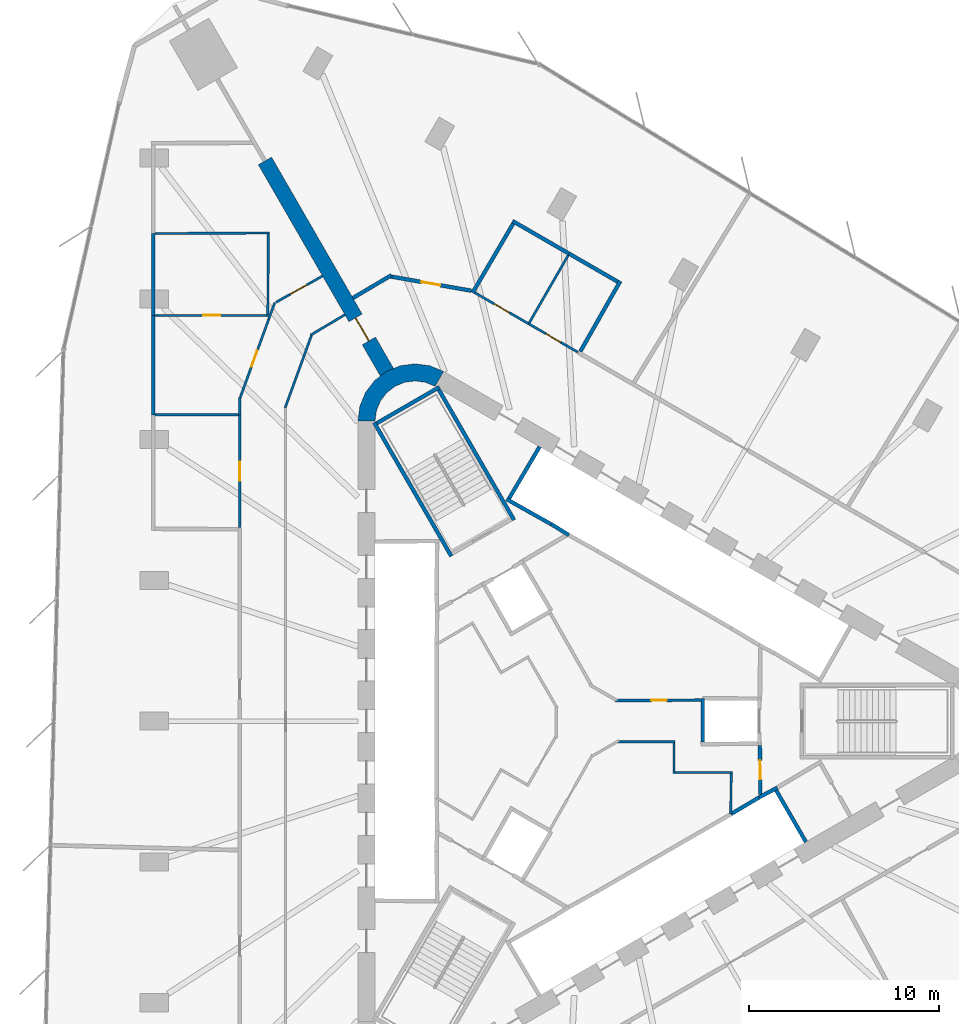
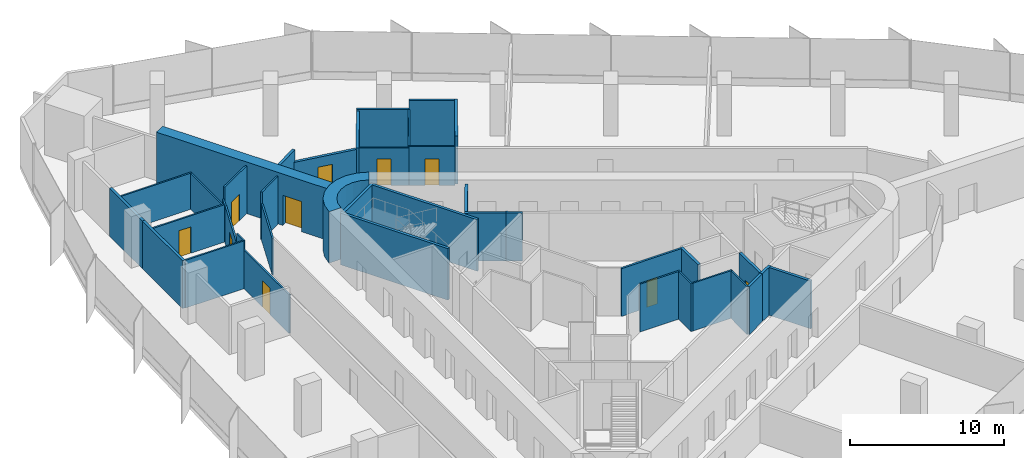
# One storey, part 11 of 14: 40 walls, 10 doors, 10 openings.
"""IFC4 building model written with IfcOpenShell, lengths in metres."""

from ifc_helpers import new_model, si_unit, direction, frame, frame_2d, origin, place, context, subcontext, project, spatial, polyline, rectangle, outline, extrude, material, layer, layer_set, type_object, element, fill, save


model = new_model("IFC4")

# Units and contexts
model_context = context("Model", 3, precision=1e-05, world=origin(), true_north=direction((0.0, 1.0)))
body_context = subcontext(model_context, "Body", "Model", "MODEL_VIEW")
ifc_project = project(units=[si_unit("LENGTHUNIT", "METRE"), si_unit("AREAUNIT", "SQUARE_METRE"), si_unit("VOLUMEUNIT", "CUBIC_METRE"), si_unit("PLANEANGLEUNIT", "RADIAN"), si_unit("MASSUNIT", "GRAM", prefix="KILO")], contexts=[model_context])

# Site, building, storey
site_placement = place(None, origin())
site = spatial("IfcSite", under=ifc_project, at=site_placement, CompositionType="ELEMENT")
building_placement = place(site_placement, origin())
building = spatial("IfcBuilding", under=site, at=building_placement, Name="Tanit Gate Tower", CompositionType="ELEMENT")
storey_placement = place(building_placement, frame((0.0, 0.0, 123.39990234375)))
storey = spatial("IfcBuildingStorey", under=building, at=storey_placement, Name="L26", CompositionType="ELEMENT", Elevation=123.39990234375)

# Wall, opening, door
ifc_material_1 = material(Name="Concrete C60/75", Category="concrete")
ifc_layer_1 = layer(ifc_material_1, 0.800048828125)
ifc_layer_set_1 = layer_set([ifc_layer_1], Name="BUTTRESS FIN 800 C60/75")
wall_type_1 = type_object("IfcWallType", Name="BUTTRESS FIN 800 C60/75", PredefinedType="SHEAR", material=ifc_layer_set_1)
wall_1_placement = place(storey_placement, frame((-10.574951171875, 18.31640625, 0.0), z_axis=(0.0, 0.0, 1.0), x_axis=(-0.500008359956, 0.866020577108, 0.0)))
wall_1 = element("IfcWall", 1, at=wall_1_placement, inside=storey, type_object=wall_type_1, Name="BUTTRESS FIN", PredefinedType="SHEAR", context=body_context, shape_type="SweptSolid", body=[
    extrude(rectangle(XDim=12.812255859375, YDim=0.800048828125, at=frame_2d((6.40625, 0.0))), origin(), (0.0, 0.0, 1.0), 4.10009765625),
])
opening_1_placement = place(wall_1_placement, frame((1.89990234375, 0.0, 0.0)))
opening_1 = element("IfcOpeningElement", 2, at=opening_1_placement, cuts=wall_1, Name="Opening P14-S06-F-NW-1", PredefinedType="OPENING", context=body_context, shape_type="SweptSolid", body=[
    extrude(rectangle(XDim=1.39990234375, YDim=2.39990234375, at=frame_2d((0.699951171875, 1.199951171875))), frame((0.0, 0.41015625, 0.0), z_axis=(0.0, -1.0, 0.0), x_axis=(1.0, 0.0, 0.0)), (0.0, 0.0, 1.0), 0.820068359375),
])
ifc_material_2 = material(Name="Timber door leaf", Category="wood")
door_type_1 = type_object("IfcDoorType", Name="INT-DOOR-FIN-PAIR-1400", OperationType="NOTDEFINED", PredefinedType="NOTDEFINED", material=ifc_material_2)
door_1_placement = place(opening_1_placement, origin())
door_1 = element("IfcDoor", 3, at=door_1_placement, inside=storey, type_object=door_type_1, Name="Door P14-S06-F-NW-1", OperationType="DOUBLE_DOOR_SINGLE_SWING", OverallHeight=2.39990234375, OverallWidth=1.39990234375, PredefinedType="NOTDEFINED", context=body_context, shape_type="SweptSolid", body=[
    extrude(rectangle(XDim=1.39990234375, YDim=2.39990234375, at=frame_2d((0.699951171875, 1.199951171875))), frame((0.0, 0.02490234375, 0.0), z_axis=(0.0, -1.0, 0.0), x_axis=(1.0, 0.0, 0.0)), (0.0, 0.0, 1.0), 0.050048828125),
])
fill(opening_1, door_1)

# Wall
ifc_material_3 = material(Name="Concrete C60/75", Category="concrete")
ifc_layer_2 = layer(ifc_material_3, 0.89990234375)
ifc_layer_set_2 = layer_set([ifc_layer_2], Name="CORE WALL 900 C60/75")
wall_type_2 = type_object("IfcWallType", Name="CORE WALL 900 C60/75", PredefinedType="SHEAR", material=ifc_layer_set_2)
wall_2_placement = place(storey_placement, origin())
element("IfcWall", 4, at=wall_2_placement, inside=storey, type_object=wall_type_2, Name="CORE WALL CORNER", PredefinedType="SHEAR", context=body_context, shape_type="SweptSolid", body=[
    extrude(outline(polyline([(-7.60009765625, 18.359619140625), (-8.323486328125, 18.659423828125), (-9.10009765625, 18.76171875), (-9.87646484375, 18.659423828125), (-10.60009765625, 18.359619140625), (-11.22119140625, 17.883056640625), (-11.697998046875, 17.26171875), (-11.997802734375, 16.5380859375), (-12.10009765625, 15.76171875), (-11.199951171875, 15.76171875), (-11.12841796875, 16.30517578125), (-10.918701171875, 16.811767578125), (-10.5849609375, 17.24658203125), (-10.14990234375, 17.580322265625), (-9.6435546875, 17.7900390625), (-9.10009765625, 17.86181640625), (-8.556396484375, 17.7900390625), (-8.050048828125, 17.580322265625), (-7.60009765625, 18.359619140625)])), origin(), (0.0, 0.0, 1.0), 4.10009765625),
])

# Wall, opening, door
ifc_material_4 = material(Name="Fire-rated gypsum board partition")
ifc_layer_3 = layer(ifc_material_4, 0.199951171875)
ifc_layer_set_3 = layer_set([ifc_layer_3], Name="INT-WALL-COMPARTMENT")
wall_type_3 = type_object("IfcWallType", Name="INT-WALL-COMPARTMENT", PredefinedType="PARTITIONING", material=ifc_layer_set_3)
wall_3_placement = place(storey_placement, frame((9.02880859375, -3.850830078125, 0.0), z_axis=(0.0, 0.0, 1.0), x_axis=(-0.010783593937, 0.99994185536, 0.0)))
wall_3 = element("IfcWall", 5, at=wall_3_placement, inside=storey, type_object=wall_type_3, Name="Wall Compartment W060", PredefinedType="PARTITIONING", context=body_context, shape_type="SweptSolid", body=[
    extrude(rectangle(XDim=2.5810546875, YDim=0.199951171875, at=frame_2d((1.29052734375, 0.0))), origin(), (0.0, 0.0, 1.0), 3.800048828125),
])
opening_2_placement = place(wall_3_placement, frame((0.79052734375, 0.0, 0.0)))
opening_2 = element("IfcOpeningElement", 6, at=opening_2_placement, cuts=wall_3, Name="Opening F10-S06-02", PredefinedType="OPENING", context=body_context, shape_type="SweptSolid", body=[
    extrude(rectangle(XDim=1.0, YDim=2.10009765625, at=frame_2d((0.5, 1.050048828125))), frame((0.0, 0.10986328125, 0.0), z_axis=(0.0, -1.0, 0.0), x_axis=(1.0, 0.0, 0.0)), (0.0, 0.0, 1.0), 0.219970703125),
])
ifc_material_5 = material(Name="Fire-rated steel door leaf", Category="steel")
door_type_2 = type_object("IfcDoorType", Name="INT-DOOR-FIRE-1000", OperationType="NOTDEFINED", PredefinedType="USERDEFINED", material=ifc_material_5)
door_2_placement = place(opening_2_placement, origin())
door_2 = element("IfcDoor", 7, at=door_2_placement, inside=storey, type_object=door_type_2, Name="Door F10-S06-02", ObjectType="FIRE DOOR", OperationType="SINGLE_SWING_RIGHT", OverallHeight=2.10009765625, OverallWidth=1.0, PredefinedType="USERDEFINED", context=body_context, shape_type="SweptSolid", body=[
    extrude(rectangle(XDim=1.0, YDim=2.10009765625, at=frame_2d((0.5, 1.050048828125))), frame((0.0, 0.02490234375, 0.0), z_axis=(0.0, -1.0, 0.0), x_axis=(1.0, 0.0, 0.0)), (0.0, 0.0, 1.0), 0.050048828125),
])
fill(opening_2, door_2)

# Wall
wall_4_placement = place(storey_placement, frame((-10.3388671875, 23.4150390625, 0.0), z_axis=(0.0, 0.0, 1.0), x_axis=(-0.860316803263, -0.509759745393, 0.0)))
element("IfcWall", 8, at=wall_4_placement, inside=storey, type_object=wall_type_3, Name="Wall Compartment W097", PredefinedType="PARTITIONING", context=body_context, shape_type="SweptSolid", body=[
    extrude(rectangle(XDim=2.35400390625, YDim=0.199951171875, at=frame_2d((1.177001953125, 0.0))), origin(), (0.0, 0.0, 1.0), 3.800048828125),
])

# Wall, opening, door
wall_5_placement = place(storey_placement, frame((-6.140625, 22.597900390625, 0.0), z_axis=(0.0, 0.0, 1.0), x_axis=(-0.984804622474, 0.173665930897, 0.0)))
wall_5 = element("IfcWall", 9, at=wall_5_placement, inside=storey, type_object=wall_type_3, Name="Wall Compartment W098", PredefinedType="PARTITIONING", context=body_context, shape_type="SweptSolid", body=[
    extrude(rectangle(XDim=4.31591796875, YDim=0.199951171875, at=frame_2d((2.157958984375, 0.0))), origin(), (0.0, 0.0, 1.0), 2.880126953125),
])
opening_3_placement = place(wall_5_placement, frame((1.657958984375, 0.0, 0.0)))
opening_3 = element("IfcOpeningElement", 10, at=opening_3_placement, cuts=wall_5, Name="Opening F10-S06-23", PredefinedType="OPENING", context=body_context, shape_type="SweptSolid", body=[
    extrude(rectangle(XDim=1.0, YDim=2.10009765625, at=frame_2d((0.5, 1.050048828125))), frame((0.0, 0.10986328125, 0.0), z_axis=(0.0, -1.0, 0.0), x_axis=(1.0, 0.0, 0.0)), (0.0, 0.0, 1.0), 0.219970703125),
])
door_3_placement = place(opening_3_placement, origin())
door_3 = element("IfcDoor", 11, at=door_3_placement, inside=storey, type_object=door_type_2, Name="Door F10-S06-23", ObjectType="FIRE DOOR", OperationType="SINGLE_SWING_LEFT", OverallHeight=2.10009765625, OverallWidth=1.0, PredefinedType="USERDEFINED", context=body_context, shape_type="SweptSolid", body=[
    extrude(rectangle(XDim=1.0, YDim=2.10009765625, at=frame_2d((0.5, 1.050048828125))), frame((0.0, 0.02490234375, 0.0), z_axis=(0.0, -1.0, 0.0), x_axis=(1.0, 0.0, 0.0)), (0.0, 0.0, 1.0), 0.050048828125),
])
fill(opening_3, door_3)

# Walls
wall_6_placement = place(storey_placement, frame((-22.85009765625, 21.302490234375, 0.0), z_axis=(0.0, 0.0, 1.0), x_axis=(0.0, 1.0, 0.0)))
element("IfcWall", 12, at=wall_6_placement, inside=storey, type_object=wall_type_3, Name="Wall Compartment W121", PredefinedType="PARTITIONING", context=body_context, shape_type="SweptSolid", body=[
    extrude(rectangle(XDim=4.29736328125, YDim=0.199951171875, at=frame_2d((2.148681640625, 0.0))), origin(), (0.0, 0.0, 1.0), 3.800048828125),
])
wall_7_placement = place(storey_placement, frame((-22.85009765625, 16.083740234375, 0.0), z_axis=(0.0, 0.0, 1.0), x_axis=(0.0, 1.0, 0.0)))
element("IfcWall", 13, at=wall_7_placement, inside=storey, type_object=wall_type_3, Name="Wall Compartment W120", PredefinedType="PARTITIONING", context=body_context, shape_type="SweptSolid", body=[
    extrude(rectangle(XDim=5.21875, YDim=0.199951171875, at=frame_2d((2.609375, 0.0))), origin(), (0.0, 0.0, 1.0), 3.800048828125),
])
wall_8_placement = place(storey_placement, frame((-0.42138671875, 19.411376953125, 0.0), z_axis=(0.0, 0.0, 1.0), x_axis=(0.493854448618, 0.86954458401, 0.0)))
element("IfcWall", 14, at=wall_8_placement, inside=storey, type_object=wall_type_3, Name="Wall Compartment W126", PredefinedType="PARTITIONING", context=body_context, shape_type="SweptSolid", body=[
    extrude(rectangle(XDim=4.25, YDim=0.199951171875, at=frame_2d((2.125, 0.0))), origin(), (0.0, 0.0, 1.0), 3.800048828125),
])
wall_9_placement = place(storey_placement, frame((-3.983642578125, 26.260009765625, 0.0), z_axis=(0.0, 0.0, 1.0), x_axis=(0.866016279763, -0.500015802937, 0.0)))
element("IfcWall", 15, at=wall_9_placement, inside=storey, type_object=wall_type_3, Name="Wall Compartment W128", PredefinedType="PARTITIONING", context=body_context, shape_type="SweptSolid", body=[
    extrude(rectangle(XDim=3.43408203125, YDim=0.199951171875, at=frame_2d((1.717041015625, 0.0))), origin(), (0.0, 0.0, 1.0), 3.080078125),
])
wall_10_placement = place(storey_placement, frame((-1.009765625, 24.54296875, 0.0), z_axis=(0.0, 0.0, 1.0), x_axis=(0.866036539348, -0.499980712142, 0.0)))
element("IfcWall", 16, at=wall_10_placement, inside=storey, type_object=wall_type_3, Name="Wall Compartment W127", PredefinedType="PARTITIONING", context=body_context, shape_type="SweptSolid", body=[
    extrude(rectangle(XDim=2.94580078125, YDim=0.199951171875, at=frame_2d((1.472900390625, 0.0))), origin(), (0.0, 0.0, 1.0), 3.800048828125),
])
wall_11_placement = place(storey_placement, frame((-6.078369140625, 22.49267578125, 0.0), z_axis=(0.0, 0.0, 1.0), x_axis=(0.506079610092, 0.862486769898, 0.0)))
element("IfcWall", 17, at=wall_11_placement, inside=storey, type_object=wall_type_3, Name="Wall Compartment W129", PredefinedType="PARTITIONING", context=body_context, shape_type="SweptSolid", body=[
    extrude(rectangle(XDim=4.2099609375, YDim=0.199951171875, at=frame_2d((2.10498046875, 0.0))), origin(), (0.0, 0.0, 1.0), 2.97998046875),
])
ifc_material_6 = material(Name="Gypsum board partition")
ifc_layer_4 = layer(ifc_material_6, 0.1201171875)
ifc_layer_set_4 = layer_set([ifc_layer_4], Name="INT-WALL-PARTITION")
wall_type_4 = type_object("IfcWallType", Name="INT-WALL-PARTITION", PredefinedType="PARTITIONING", material=ifc_layer_set_4)
wall_12_placement = place(storey_placement, frame((4.56005859375, -1.074951171875, 0.0), z_axis=(0.0, 0.0, 1.0), x_axis=(-1.0, 0.0, 0.0)))
element("IfcWall", 18, at=wall_12_placement, inside=storey, type_object=wall_type_4, Name="Wall Partition W070", PredefinedType="PARTITIONING", context=body_context, shape_type="SweptSolid", body=[
    extrude(rectangle(XDim=3.02587890625, YDim=0.1201171875, at=frame_2d((1.512939453125, 0.0))), origin(), (0.0, 0.0, 1.0), 3.800048828125),
])
wall_13_placement = place(storey_placement, frame((4.5, -2.760009765625, 0.0), z_axis=(0.0, 0.0, 1.0), x_axis=(0.0, 1.0, 0.0)))
element("IfcWall", 19, at=wall_13_placement, inside=storey, type_object=wall_type_4, Name="Wall Partition W071", PredefinedType="PARTITIONING", context=body_context, shape_type="SweptSolid", body=[
    extrude(rectangle(XDim=1.625, YDim=0.1201171875, at=frame_2d((0.8125, 0.0))), origin(), (0.0, 0.0, 1.0), 3.800048828125),
])
wall_14_placement = place(storey_placement, frame((7.56005859375, -2.699951171875, 0.0), z_axis=(0.0, 0.0, 1.0), x_axis=(-1.0, 0.0, 0.0)))
element("IfcWall", 20, at=wall_14_placement, inside=storey, type_object=wall_type_4, Name="Wall Partition W072", PredefinedType="PARTITIONING", context=body_context, shape_type="SweptSolid", body=[
    extrude(rectangle(XDim=3.0, YDim=0.1201171875, at=frame_2d((1.5, 0.0))), origin(), (0.0, 0.0, 1.0), 3.800048828125),
])
wall_15_placement = place(storey_placement, frame((7.474609375, -4.864501953125, 0.0), z_axis=(0.0, 0.0, 1.0), x_axis=(0.011716133148, 0.999931363757, 0.0)))
element("IfcWall", 21, at=wall_15_placement, inside=storey, type_object=wall_type_4, Name="Wall Partition W073", PredefinedType="PARTITIONING", context=body_context, shape_type="SweptSolid", body=[
    extrude(rectangle(XDim=2.104736328125, YDim=0.1201171875, at=frame_2d((1.05224609375, 0.0))), origin(), (0.0, 0.0, 1.0), 3.800048828125),
])
wall_16_placement = place(storey_placement, frame((-12.781982421875, 21.339111328125, 0.0), z_axis=(0.0, 0.0, 1.0), x_axis=(-0.859769901207, -0.510681619973, 0.0)))
element("IfcWall", 22, at=wall_16_placement, inside=storey, type_object=wall_type_4, Name="Wall Partition W083", PredefinedType="PARTITIONING", context=body_context, shape_type="SweptSolid", body=[
    extrude(rectangle(XDim=2.092529296875, YDim=0.1201171875, at=frame_2d((1.04638671875, 0.0))), origin(), (0.0, 0.0, 1.0), 3.800048828125),
])
wall_17_placement = place(storey_placement, frame((-14.527587890625, 20.281982421875, 0.0), z_axis=(0.0, 0.0, 1.0), x_axis=(-0.341969257767, -0.939711140054, 0.0)))
element("IfcWall", 23, at=wall_17_placement, inside=storey, type_object=wall_type_4, Name="Wall Partition W084", PredefinedType="PARTITIONING", context=body_context, shape_type="SweptSolid", body=[
    extrude(rectangle(XDim=4.072998046875, YDim=0.1201171875, at=frame_2d((2.03662109375, 0.0))), origin(), (0.0, 0.0, 1.0), 2.880126953125),
])
wall_18_placement = place(storey_placement, frame((-18.300048828125, 16.994140625, 0.0), z_axis=(0.0, 0.0, 1.0), x_axis=(0.0, -1.0, 0.0)))
element("IfcWall", 24, at=wall_18_placement, inside=storey, type_object=wall_type_4, Name="Wall Partition W093", PredefinedType="PARTITIONING", context=body_context, shape_type="SweptSolid", body=[
    extrude(rectangle(XDim=0.910400390625, YDim=0.1201171875, at=frame_2d((0.455078125, 0.0))), origin(), (0.0, 0.0, 1.0), 3.800048828125),
])

# Wall, opening, door
wall_19_placement = place(storey_placement, frame((-18.300048828125, 16.083740234375, 0.0), z_axis=(0.0, 0.0, 1.0), x_axis=(0.0, -1.0, 0.0)))
wall_19 = element("IfcWall", 25, at=wall_19_placement, inside=storey, type_object=wall_type_4, Name="Wall Partition W092", PredefinedType="PARTITIONING", context=body_context, shape_type="SweptSolid", body=[
    extrude(rectangle(XDim=5.913818359375, YDim=0.1201171875, at=frame_2d((2.95703125, 0.0))), origin(), (0.0, 0.0, 1.0), 3.080078125),
])
opening_4_placement = place(wall_19_placement, frame((2.456787109375, 0.0, 0.0)))
opening_4 = element("IfcOpeningElement", 26, at=opening_4_placement, cuts=wall_19, Name="Opening D10-S06-15", PredefinedType="OPENING", context=body_context, shape_type="SweptSolid", body=[
    extrude(rectangle(XDim=1.0, YDim=2.10009765625, at=frame_2d((0.5, 1.050048828125))), frame((0.0, 0.070068359375, 0.0), z_axis=(0.0, -1.0, 0.0), x_axis=(1.0, 0.0, 0.0)), (0.0, 0.0, 1.0), 0.14013671875),
])
ifc_material_7 = material(Name="Timber door leaf", Category="wood")
door_type_3 = type_object("IfcDoorType", Name="INT-DOOR-SINGLE-1000", OperationType="NOTDEFINED", PredefinedType="NOTDEFINED", material=ifc_material_7)
door_4_placement = place(opening_4_placement, origin())
door_4 = element("IfcDoor", 27, at=door_4_placement, inside=storey, type_object=door_type_3, Name="Door D10-S06-15", OperationType="SINGLE_SWING_RIGHT", OverallHeight=2.10009765625, OverallWidth=1.0, PredefinedType="NOTDEFINED", context=body_context, shape_type="SweptSolid", body=[
    extrude(rectangle(XDim=1.0, YDim=2.10009765625, at=frame_2d((0.5, 1.050048828125))), frame((0.0, 0.02490234375, 0.0), z_axis=(0.0, -1.0, 0.0), x_axis=(1.0, 0.0, 0.0)), (0.0, 0.0, 1.0), 0.050048828125),
])
fill(opening_4, door_4)

# Wall
wall_20_placement = place(storey_placement, frame((-16.467041015625, 21.970458984375, 0.0), z_axis=(0.0, 0.0, 1.0), x_axis=(-0.341973086836, -0.939709746613, 0.0)))
element("IfcWall", 28, at=wall_20_placement, inside=storey, type_object=wall_type_4, Name="Wall Partition W095", PredefinedType="PARTITIONING", context=body_context, shape_type="SweptSolid", body=[
    extrude(rectangle(XDim=0.937255859375, YDim=0.1201171875, at=frame_2d((0.46875, 0.0))), origin(), (0.0, 0.0, 1.0), 2.880126953125),
])

# Wall, opening, door
wall_21_placement = place(storey_placement, frame((-16.78759765625, 21.089599609375, 0.0), z_axis=(0.0, 0.0, 1.0), x_axis=(-0.342035154905, -0.939687156882, 0.0)))
wall_21 = element("IfcWall", 29, at=wall_21_placement, inside=storey, type_object=wall_type_4, Name="Wall Partition W094", PredefinedType="PARTITIONING", context=body_context, shape_type="SweptSolid", body=[
    extrude(rectangle(XDim=4.362060546875, YDim=0.1201171875, at=frame_2d((2.18115234375, 0.0))), origin(), (0.0, 0.0, 1.0), 2.97998046875),
])
opening_5_placement = place(wall_21_placement, frame((1.73095703125, 0.0, 0.0)))
opening_5 = element("IfcOpeningElement", 30, at=opening_5_placement, cuts=wall_21, Name="Opening D09-S06-16", PredefinedType="OPENING", context=body_context, shape_type="SweptSolid", body=[
    extrude(rectangle(XDim=0.89990234375, YDim=2.10009765625, at=frame_2d((0.449951171875, 1.050048828125))), frame((0.0, 0.070068359375, 0.0), z_axis=(0.0, -1.0, 0.0), x_axis=(1.0, 0.0, 0.0)), (0.0, 0.0, 1.0), 0.14013671875),
])
ifc_material_8 = material(Name="Timber door leaf", Category="wood")
door_type_4 = type_object("IfcDoorType", Name="INT-DOOR-SINGLE-900", OperationType="NOTDEFINED", PredefinedType="NOTDEFINED", material=ifc_material_8)
door_5_placement = place(opening_5_placement, origin())
door_5 = element("IfcDoor", 31, at=door_5_placement, inside=storey, type_object=door_type_4, Name="Door D09-S06-16", OperationType="SINGLE_SWING_RIGHT", OverallHeight=2.10009765625, OverallWidth=0.89990234375, PredefinedType="NOTDEFINED", context=body_context, shape_type="SweptSolid", body=[
    extrude(rectangle(XDim=0.89990234375, YDim=2.10009765625, at=frame_2d((0.449951171875, 1.050048828125))), frame((0.0, 0.02490234375, 0.0), z_axis=(0.0, -1.0, 0.0), x_axis=(1.0, 0.0, 0.0)), (0.0, 0.0, 1.0), 0.050048828125),
])
fill(opening_5, door_5)

wall_22_placement = place(storey_placement, frame((-13.956298828125, 23.373046875, 0.0), z_axis=(0.0, 0.0, 1.0), x_axis=(-0.870551471841, -0.492077366757, 0.0)))
wall_22 = element("IfcWall", 32, at=wall_22_placement, inside=storey, type_object=wall_type_4, Name="Wall Partition W096", PredefinedType="PARTITIONING", context=body_context, shape_type="SweptSolid", body=[
    extrude(rectangle(XDim=2.80029296875, YDim=0.1201171875, at=frame_2d((1.400146484375, 0.0))), origin(), (0.0, 0.0, 1.0), 3.800048828125),
])
opening_6_placement = place(wall_22_placement, frame((0.9501953125, 0.0, 0.0)))
opening_6 = element("IfcOpeningElement", 33, at=opening_6_placement, cuts=wall_22, Name="Opening D10-S06-18", PredefinedType="OPENING", context=body_context, shape_type="SweptSolid", body=[
    extrude(rectangle(XDim=1.0, YDim=2.10009765625, at=frame_2d((0.5, 1.050048828125))), frame((0.0, 0.070068359375, 0.0), z_axis=(0.0, -1.0, 0.0), x_axis=(1.0, 0.0, 0.0)), (0.0, 0.0, 1.0), 0.14013671875),
])
door_6_placement = place(opening_6_placement, origin())
door_6 = element("IfcDoor", 34, at=door_6_placement, inside=storey, type_object=door_type_3, Name="Door D10-S06-18", OperationType="SINGLE_SWING_LEFT", OverallHeight=2.10009765625, OverallWidth=1.0, PredefinedType="NOTDEFINED", context=body_context, shape_type="SweptSolid", body=[
    extrude(rectangle(XDim=1.0, YDim=2.10009765625, at=frame_2d((0.5, 1.050048828125))), frame((0.0, 0.02490234375, 0.0), z_axis=(0.0, -1.0, 0.0), x_axis=(1.0, 0.0, 0.0)), (0.0, 0.0, 1.0), 0.050048828125),
])
fill(opening_6, door_6)

wall_23_placement = place(storey_placement, frame((-0.557373046875, 19.37451171875, 0.0), z_axis=(0.0, 0.0, 1.0), x_axis=(-0.866028486751, 0.499994660107, 0.0)))
wall_23 = element("IfcWall", 35, at=wall_23_placement, inside=storey, type_object=wall_type_4, Name="Wall Partition W104", PredefinedType="PARTITIONING", context=body_context, shape_type="SweptSolid", body=[
    extrude(rectangle(XDim=2.97607421875, YDim=0.1201171875, at=frame_2d((1.488037109375, 0.0))), origin(), (0.0, 0.0, 1.0), 3.080078125),
])
opening_7_placement = place(wall_23_placement, frame((1.0380859375, 0.0, 0.0)))
opening_7 = element("IfcOpeningElement", 36, at=opening_7_placement, cuts=wall_23, Name="Opening D09-S06-19", PredefinedType="OPENING", context=body_context, shape_type="SweptSolid", body=[
    extrude(rectangle(XDim=0.89990234375, YDim=2.10009765625, at=frame_2d((0.449951171875, 1.050048828125))), frame((0.0, 0.070068359375, 0.0), z_axis=(0.0, -1.0, 0.0), x_axis=(1.0, 0.0, 0.0)), (0.0, 0.0, 1.0), 0.14013671875),
])
door_7_placement = place(opening_7_placement, origin())
door_7 = element("IfcDoor", 37, at=door_7_placement, inside=storey, type_object=door_type_4, Name="Door D09-S06-19", OperationType="SINGLE_SWING_RIGHT", OverallHeight=2.10009765625, OverallWidth=0.89990234375, PredefinedType="NOTDEFINED", context=body_context, shape_type="SweptSolid", body=[
    extrude(rectangle(XDim=0.89990234375, YDim=2.10009765625, at=frame_2d((0.449951171875, 1.050048828125))), frame((0.0, 0.02490234375, 0.0), z_axis=(0.0, -1.0, 0.0), x_axis=(1.0, 0.0, 0.0)), (0.0, 0.0, 1.0), 0.050048828125),
])
fill(opening_7, door_7)

wall_24_placement = place(storey_placement, frame((-3.134765625, 20.862548828125, 0.0), z_axis=(0.0, 0.0, 1.0), x_axis=(-0.866043587326, 0.49996850386, 0.0)))
wall_24 = element("IfcWall", 38, at=wall_24_placement, inside=storey, type_object=wall_type_4, Name="Wall Partition W105", PredefinedType="PARTITIONING", context=body_context, shape_type="SweptSolid", body=[
    extrude(rectangle(XDim=3.263916015625, YDim=0.1201171875, at=frame_2d((1.6318359375, 0.0))), origin(), (0.0, 0.0, 1.0), 2.97998046875),
])
opening_8_placement = place(wall_24_placement, frame((1.181884765625, 0.0, 0.0)))
opening_8 = element("IfcOpeningElement", 39, at=opening_8_placement, cuts=wall_24, Name="Opening D09-S06-20", PredefinedType="OPENING", context=body_context, shape_type="SweptSolid", body=[
    extrude(rectangle(XDim=0.89990234375, YDim=2.10009765625, at=frame_2d((0.449951171875, 1.050048828125))), frame((0.0, 0.070068359375, 0.0), z_axis=(0.0, -1.0, 0.0), x_axis=(1.0, 0.0, 0.0)), (0.0, 0.0, 1.0), 0.14013671875),
])
door_8_placement = place(opening_8_placement, origin())
door_8 = element("IfcDoor", 40, at=door_8_placement, inside=storey, type_object=door_type_4, Name="Door D09-S06-20", OperationType="SINGLE_SWING_RIGHT", OverallHeight=2.10009765625, OverallWidth=0.89990234375, PredefinedType="NOTDEFINED", context=body_context, shape_type="SweptSolid", body=[
    extrude(rectangle(XDim=0.89990234375, YDim=2.10009765625, at=frame_2d((0.449951171875, 1.050048828125))), frame((0.0, 0.02490234375, 0.0), z_axis=(0.0, -1.0, 0.0), x_axis=(1.0, 0.0, 0.0)), (0.0, 0.0, 1.0), 0.050048828125),
])
fill(opening_8, door_8)

# Wall
wall_25_placement = place(storey_placement, frame((-18.360107421875, 16.083740234375, 0.0), z_axis=(0.0, 0.0, 1.0), x_axis=(-1.0, 0.0, 0.0)))
element("IfcWall", 41, at=wall_25_placement, inside=storey, type_object=wall_type_4, Name="Wall Partition W135", PredefinedType="PARTITIONING", context=body_context, shape_type="SweptSolid", body=[
    extrude(rectangle(XDim=4.389892578125, YDim=0.1201171875, at=frame_2d((2.19482421875, 0.0))), origin(), (0.0, 0.0, 1.0), 3.800048828125),
])

# Wall, opening, door
wall_26_placement = place(storey_placement, frame((-16.800048828125, 21.302490234375, 0.0), z_axis=(0.0, 0.0, 1.0), x_axis=(-1.0, 0.0, 0.0)))
wall_26 = element("IfcWall", 42, at=wall_26_placement, inside=storey, type_object=wall_type_4, Name="Wall Partition W136", PredefinedType="PARTITIONING", context=body_context, shape_type="SweptSolid", body=[
    extrude(rectangle(XDim=5.949951171875, YDim=0.1201171875, at=frame_2d((2.97509765625, 0.0))), origin(), (0.0, 0.0, 1.0), 2.97998046875),
])
opening_9_placement = place(wall_26_placement, frame((2.52490234375, 0.0, 0.0)))
opening_9 = element("IfcOpeningElement", 43, at=opening_9_placement, cuts=wall_26, Name="Opening D09-S06-17", PredefinedType="OPENING", context=body_context, shape_type="SweptSolid", body=[
    extrude(rectangle(XDim=0.89990234375, YDim=2.10009765625, at=frame_2d((0.449951171875, 1.050048828125))), frame((0.0, 0.070068359375, 0.0), z_axis=(0.0, -1.0, 0.0), x_axis=(1.0, 0.0, 0.0)), (0.0, 0.0, 1.0), 0.14013671875),
])
door_9_placement = place(opening_9_placement, origin())
door_9 = element("IfcDoor", 44, at=door_9_placement, inside=storey, type_object=door_type_4, Name="Door D09-S06-17", OperationType="SINGLE_SWING_RIGHT", OverallHeight=2.10009765625, OverallWidth=0.89990234375, PredefinedType="NOTDEFINED", context=body_context, shape_type="SweptSolid", body=[
    extrude(rectangle(XDim=0.89990234375, YDim=2.10009765625, at=frame_2d((0.449951171875, 1.050048828125))), frame((0.0, 0.02490234375, 0.0), z_axis=(0.0, -1.0, 0.0), x_axis=(1.0, 0.0, 0.0)), (0.0, 0.0, 1.0), 0.050048828125),
])
fill(opening_9, door_9)

# Walls
wall_27_placement = place(storey_placement, frame((-22.75, 25.600341796875, 0.0), z_axis=(0.0, 0.0, 1.0), x_axis=(0.999987719631, 0.004955863907, 0.0)))
element("IfcWall", 45, at=wall_27_placement, inside=storey, type_object=wall_type_4, Name="Wall Partition W137", PredefinedType="PARTITIONING", context=body_context, shape_type="SweptSolid", body=[
    extrude(rectangle(XDim=6.010009765625, YDim=0.1201171875, at=frame_2d((3.0048828125, 0.0))), origin(), (0.0, 0.0, 1.0), 2.880126953125),
])
wall_28_placement = place(storey_placement, frame((-16.830078125, 21.332275390625, 0.0), z_axis=(0.0, 0.0, 1.0), x_axis=(0.006971081403, 0.999975701717, 0.0)))
element("IfcWall", 46, at=wall_28_placement, inside=storey, type_object=wall_type_4, Name="Wall Partition W138", PredefinedType="PARTITIONING", context=body_context, shape_type="SweptSolid", body=[
    extrude(rectangle(XDim=4.237548828125, YDim=0.1201171875, at=frame_2d((2.11865234375, 0.0))), origin(), (0.0, 0.0, 1.0), 2.880126953125),
])
wall_29_placement = place(storey_placement, frame((-3.104736328125, 20.914306640625, 0.0), z_axis=(0.0, 0.0, 1.0), x_axis=(0.499965302165, 0.866045435662, 0.0)))
element("IfcWall", 47, at=wall_29_placement, inside=storey, type_object=wall_type_4, Name="Wall Partition W139", PredefinedType="PARTITIONING", context=body_context, shape_type="SweptSolid", body=[
    extrude(rectangle(XDim=4.090087890625, YDim=0.1201171875, at=frame_2d((2.044921875, 0.0))), origin(), (0.0, 0.0, 1.0), 3.080078125),
])

# Wall, opening, door
ifc_material_9 = material(Name="Fire-rated gypsum board partition")
ifc_layer_5 = layer(ifc_material_9, 0.14990234375)
ifc_layer_set_5 = layer_set([ifc_layer_5], Name="INT-WALL-RISER")
wall_type_5 = type_object("IfcWallType", Name="INT-WALL-RISER", PredefinedType="PLUMBINGWALL", material=ifc_layer_set_5)
wall_30_placement = place(storey_placement, frame((1.3876953125, 1.07421875, 0.0), z_axis=(0.0, 0.0, 1.0), x_axis=(0.99997856967, 0.006546770205, 0.0)))
wall_30 = element("IfcWall", 48, at=wall_30_placement, inside=storey, type_object=wall_type_5, Name="Wall Riser W065", PredefinedType="PLUMBINGWALL", context=body_context, shape_type="SweptSolid", body=[
    extrude(rectangle(XDim=4.51220703125, YDim=0.14990234375, at=frame_2d((2.256103515625, 0.0))), origin(), (0.0, 0.0, 1.0), 3.800048828125),
])
opening_10_placement = place(wall_30_placement, frame((1.920166015625, 0.0, 0.0)))
opening_10 = element("IfcOpeningElement", 49, at=opening_10_placement, cuts=wall_30, Name="Opening R08-S06-10", PredefinedType="OPENING", context=body_context, shape_type="SweptSolid", body=[
    extrude(rectangle(XDim=0.800048828125, YDim=2.10009765625, at=frame_2d((0.39990234375, 1.050048828125))), frame((0.0, 0.0849609375, 0.0), z_axis=(0.0, -1.0, 0.0), x_axis=(1.0, 0.0, 0.0)), (0.0, 0.0, 1.0), 0.169921875),
])
ifc_material_10 = material(Name="Timber door leaf", Category="wood")
door_type_5 = type_object("IfcDoorType", Name="INT-DOOR-RISER-800", OperationType="NOTDEFINED", PredefinedType="USERDEFINED", material=ifc_material_10)
door_10_placement = place(opening_10_placement, origin())
door_10 = element("IfcDoor", 50, at=door_10_placement, inside=storey, type_object=door_type_5, Name="Door R08-S06-10", ObjectType="FIRE DOOR", OperationType="SINGLE_SWING_LEFT", OverallHeight=2.10009765625, OverallWidth=0.800048828125, PredefinedType="USERDEFINED", context=body_context, shape_type="SweptSolid", body=[
    extrude(rectangle(XDim=0.800048828125, YDim=2.10009765625, at=frame_2d((0.39990234375, 1.050048828125))), frame((0.0, 0.02490234375, 0.0), z_axis=(0.0, -1.0, 0.0), x_axis=(1.0, 0.0, 0.0)), (0.0, 0.0, 1.0), 0.050048828125),
])
fill(opening_10, door_10)

# Walls
ifc_material_11 = material(Name="Gypsum shaft wall system")
ifc_layer_6 = layer(ifc_material_11, 0.199951171875)
ifc_layer_set_6 = layer_set([ifc_layer_6], Name="INT-WALL-SHAFT")
wall_type_6 = type_object("IfcWallType", Name="INT-WALL-SHAFT", PredefinedType="PLUMBINGWALL", material=ifc_layer_set_6)
wall_31_placement = place(storey_placement, frame((-1.940673828125, 10.338623046875, 0.0), z_axis=(0.0, 0.0, 1.0), x_axis=(0.850216889117, -0.526432561171, 0.0)))
element("IfcWall", 51, at=wall_31_placement, inside=storey, type_object=wall_type_6, Name="Wall Shaft W019", PredefinedType="PLUMBINGWALL", context=body_context, shape_type="SweptSolid", body=[
    extrude(rectangle(XDim=1.078369140625, YDim=0.199951171875, at=frame_2d((0.5390625, 0.0))), origin(), (0.0, 0.0, 1.0), 3.800048828125),
])
wall_32_placement = place(storey_placement, frame((-4.296142578125, 11.658935546875, 0.0), z_axis=(0.0, 0.0, 1.0), x_axis=(0.871534483978, -0.490334215854, 0.0)))
element("IfcWall", 52, at=wall_32_placement, inside=storey, type_object=wall_type_6, Name="Wall Shaft W021", PredefinedType="PLUMBINGWALL", context=body_context, shape_type="SweptSolid", body=[
    extrude(rectangle(XDim=2.7001953125, YDim=0.199951171875, at=frame_2d((1.35009765625, 0.0))), origin(), (0.0, 0.0, 1.0), 3.800048828125),
])
wall_33_placement = place(storey_placement, frame((-4.158203125, 11.696044921875, 0.0), z_axis=(0.0, 0.0, 1.0), x_axis=(0.508018930956, 0.861345903683, 0.0)))
element("IfcWall", 53, at=wall_33_placement, inside=storey, type_object=wall_type_6, Name="Wall Shaft W022", PredefinedType="PLUMBINGWALL", context=body_context, shape_type="SweptSolid", body=[
    extrude(rectangle(XDim=3.150146484375, YDim=0.199951171875, at=frame_2d((1.5751953125, 0.0))), origin(), (0.0, 0.0, 1.0), 3.800048828125),
])
wall_34_placement = place(storey_placement, frame((9.794677734375, -3.52490234375, 0.0), z_axis=(0.0, 0.0, 1.0), x_axis=(0.499984717929, -0.866034226713, 0.0)))
element("IfcWall", 54, at=wall_34_placement, inside=storey, type_object=wall_type_6, Name="Wall Shaft W024", PredefinedType="PLUMBINGWALL", context=body_context, shape_type="SweptSolid", body=[
    extrude(rectangle(XDim=3.25, YDim=0.199951171875, at=frame_2d((1.625, 0.0))), origin(), (0.0, 0.0, 1.0), 3.800048828125),
])
wall_35_placement = place(storey_placement, frame((8.97412109375, -3.998779296875, 0.0), z_axis=(0.0, 0.0, 1.0), x_axis=(0.880907015104, 0.473289373154, 0.0)))
element("IfcWall", 55, at=wall_35_placement, inside=storey, type_object=wall_type_6, Name="Wall Shaft W025", PredefinedType="PLUMBINGWALL", context=body_context, shape_type="SweptSolid", body=[
    extrude(rectangle(XDim=1.078125, YDim=0.199951171875, at=frame_2d((0.5390625, 0.0))), origin(), (0.0, 0.0, 1.0), 3.800048828125),
])
wall_36_placement = place(storey_placement, frame((7.4931640625, -4.87841796875, 0.0), z_axis=(0.0, 0.0, 1.0), x_axis=(0.859981807212, 0.510324691999, 0.0)))
element("IfcWall", 56, at=wall_36_placement, inside=storey, type_object=wall_type_6, Name="Wall Shaft W026", PredefinedType="PLUMBINGWALL", context=body_context, shape_type="SweptSolid", body=[
    extrude(rectangle(XDim=1.8447265625, YDim=0.199951171875, at=frame_2d((0.92236328125, 0.0))), origin(), (0.0, 0.0, 1.0), 3.800048828125),
])
wall_37_placement = place(storey_placement, frame((6.0, -1.10009765625, 0.0), z_axis=(0.0, 0.0, 1.0), x_axis=(0.0, 1.0, 0.0)))
element("IfcWall", 57, at=wall_37_placement, inside=storey, type_object=wall_type_6, Name="Wall Shaft W040", PredefinedType="PLUMBINGWALL", context=body_context, shape_type="SweptSolid", body=[
    extrude(rectangle(XDim=2.279541015625, YDim=0.199951171875, at=frame_2d((1.1396484375, 0.0))), origin(), (0.0, 0.0, 1.0), 3.800048828125),
])
ifc_material_12 = material(Name="Concrete C40/50", Category="concrete")
ifc_layer_7 = layer(ifc_material_12, 0.199951171875)
ifc_layer_set_7 = layer_set([ifc_layer_7], Name="INT-WALL-STAIR")
wall_type_7 = type_object("IfcWallType", Name="INT-WALL-STAIR", PredefinedType="SHEAR", material=ifc_layer_set_7)
wall_38_placement = place(storey_placement, frame((-11.245361328125, 15.677734375, -0.2998046875), z_axis=(0.0, 0.0, 1.0), x_axis=(0.499977274689, -0.866038523851, 0.0)))
element("IfcWall", 58, at=wall_38_placement, inside=storey, type_object=wall_type_7, Name="Wall Stair W041", PredefinedType="SHEAR", context=body_context, shape_type="SweptSolid", body=[
    extrude(rectangle(XDim=8.10009765625, YDim=0.199951171875, at=frame_2d((4.050048828125, 0.0))), origin(), (0.0, 0.0, 1.0), 4.099853515625),
])
wall_39_placement = place(storey_placement, frame((-7.81787109375, 17.541015625, -0.2998046875), z_axis=(0.0, 0.0, 1.0), x_axis=(-0.866044365799, -0.499967155389, 0.0)))
element("IfcWall", 59, at=wall_39_placement, inside=storey, type_object=wall_type_7, Name="Wall Stair W042", PredefinedType="SHEAR", context=body_context, shape_type="SweptSolid", body=[
    extrude(rectangle(XDim=3.800048828125, YDim=0.199951171875, at=frame_2d((1.89990234375, 0.0))), origin(), (0.0, 0.0, 1.0), 4.099853515625),
])
wall_40_placement = place(storey_placement, frame((-7.8544921875, 17.404541015625, -0.2998046875), z_axis=(0.0, 0.0, 1.0), x_axis=(0.499997992926, -0.866026562566, 0.0)))
element("IfcWall", 60, at=wall_40_placement, inside=storey, type_object=wall_type_7, Name="Wall Stair W043", PredefinedType="SHEAR", context=body_context, shape_type="SweptSolid", body=[
    extrude(rectangle(XDim=7.89990234375, YDim=0.199951171875, at=frame_2d((3.949951171875, 0.0))), origin(), (0.0, 0.0, 1.0), 4.099853515625),
])

save(model, "model.ifc")
